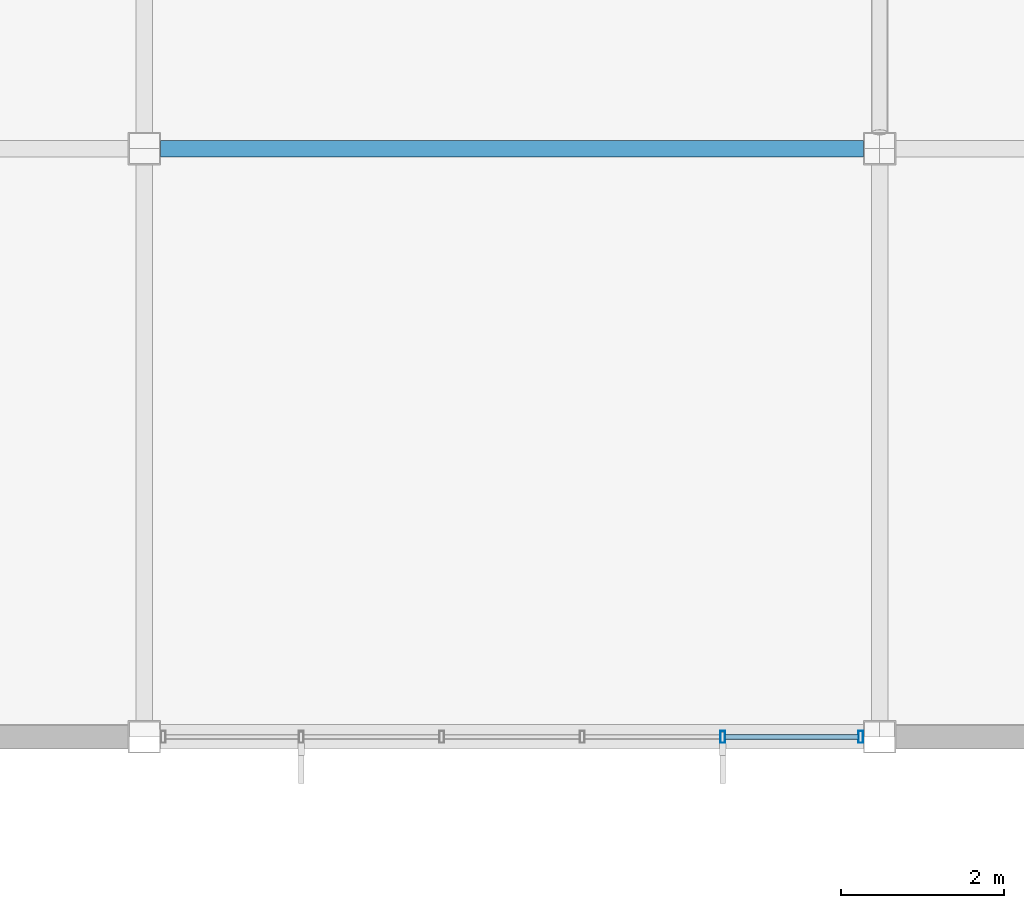
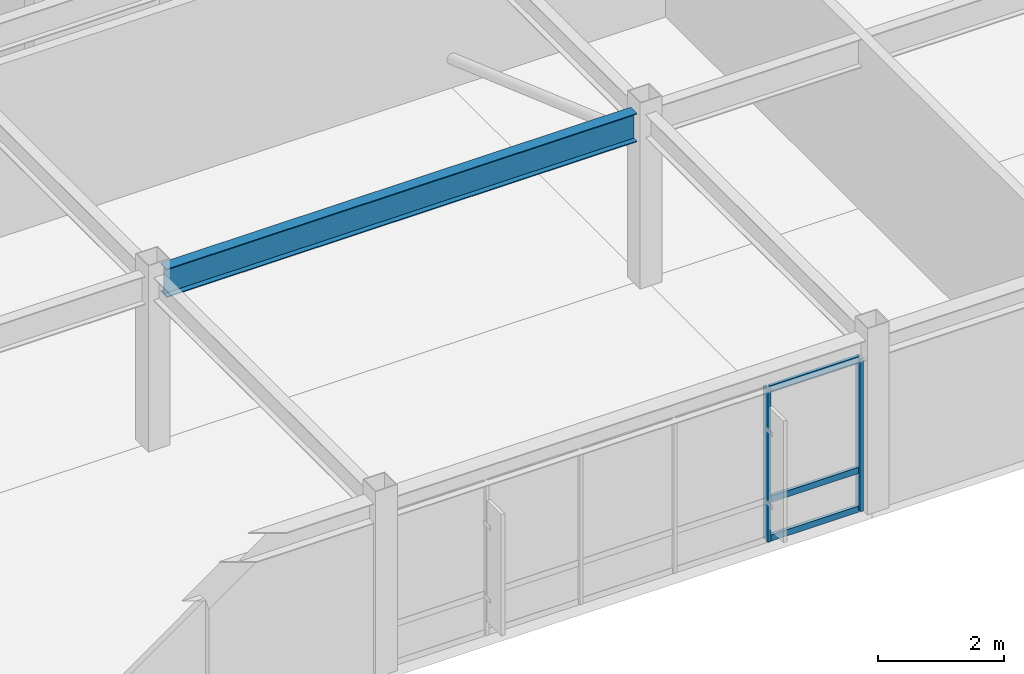
# One storey, part 7 of 34: 5 members, 1 beam, 1 element without a shape of its own.
"""IFC4 building model written with IfcOpenShell, lengths in metres."""

from ifc_helpers import new_model, si_unit, direction, frame, origin, origin_2d, place, context, subcontext, project, spatial, hollow_rectangle, i_section, extrude, material, material_profile, profile_set, type_object, element, aggregate, save


model = new_model("IFC4")

# Units and contexts
model_context = context("Model", 3, precision=1e-05, world=origin(), true_north=direction((0.0, 1.0)))
body_context = subcontext(model_context, "Body", "Model", "MODEL_VIEW")
ifc_project = project(units=[si_unit("LENGTHUNIT", "METRE"), si_unit("AREAUNIT", "SQUARE_METRE"), si_unit("VOLUMEUNIT", "CUBIC_METRE"), si_unit("PLANEANGLEUNIT", "RADIAN"), si_unit("MASSUNIT", "GRAM", prefix="KILO")], contexts=[model_context])

# Site, building, storey
site_placement = place(None, origin())
site = spatial("IfcSite", under=ifc_project, at=site_placement, CompositionType="ELEMENT")
building_placement = place(site_placement, origin())
building = spatial("IfcBuilding", under=site, at=building_placement, Name="Kazanami Central Library", CompositionType="ELEMENT")
storey_placement = place(building_placement, frame((0.0, 0.0, 17.0)))
storey = spatial("IfcBuildingStorey", under=building, at=storey_placement, Name="L05", CompositionType="ELEMENT", Elevation=17.0)

# Beam
ifc_material_1 = material(Name="Steel SN490B (325 MPa)", Category="steel")
ifc_material_profile_1 = material_profile(ifc_material_1, i_section(OverallWidth=0.199951171875, OverallDepth=0.550048828125, WebThickness=0.010009765625, FlangeThickness=0.01611328125, at=origin_2d()), Name="H-550x200x10x16")
ifc_profile_set_1 = profile_set([ifc_material_profile_1], Name="Steel SN490B (325 MPa)")
beam_type = type_object("IfcBeamType", Name="BM-G-X3", PredefinedType="BEAM", material=ifc_profile_set_1)
beam_placement = place(storey_placement, frame((9.197998046875, 72.0, 3.06494140625), z_axis=(1.0, 0.0, 0.0), x_axis=(0.0, 1.0, 0.0)))
element("IfcBeam", 1, at=beam_placement, inside=storey, type_object=beam_type, Name="Girder G-X3 L05 L/2-3", PredefinedType="BEAM", context=body_context, shape_type="SweptSolid", body=[
    extrude(i_section(OverallWidth=0.199951171875, OverallDepth=0.550048828125, WebThickness=0.010009765625, FlangeThickness=0.01611328125, at=origin_2d()), origin(), (0.0, 0.0, 1.0), 8.60400390625),
])

# Curtain wall, members
ifc_material_2 = material(Name="Acid-Etched Low-E Laminated Glass", Category="glass")
curtain_wall_type = type_object("IfcCurtainWallType", Name="CW-8600x2950-M180", PredefinedType="USERDEFINED", material=ifc_material_2)
curtain_wall_placement = place(storey_placement, origin())
curtain_wall = element("IfcCurtainWall", 2, at=curtain_wall_placement, inside=storey, type_object=curtain_wall_type, Name="Unitised Curtain Wall CW-50 L05 S-K-01", ObjectType="UNITISED CURTAIN WALL", PredefinedType="USERDEFINED")
ifc_material_3 = material(Name="Anodised Aluminium A6063-T5", Category="aluminium")
ifc_material_profile_2 = material_profile(ifc_material_3, hollow_rectangle(XDim=0.06005859375, YDim=0.14990234375, WallThickness=0.00390625, at=origin_2d()), Name="ALU-MULL-60x150x4")
ifc_profile_set_2 = profile_set([ifc_material_profile_2], Name="Anodised Aluminium A6063-T5")
member_type_1 = type_object("IfcMemberType", Name="MEM-CW-M3", PredefinedType="MULLION", material=ifc_profile_set_2)
member_1_placement = place(storey_placement, frame((16.080078125, 64.800048828125, 0.0), z_axis=(0.0, 0.0, 1.0), x_axis=(1.0, 0.0, 0.0)))
member_1 = element("IfcMember", 3, at=member_1_placement, type_object=member_type_1, Name="CW-50 mullion 5", PredefinedType="MULLION", context=body_context, shape_type="SweptSolid", body=[
    extrude(hollow_rectangle(XDim=0.06005859375, YDim=0.14990234375, WallThickness=0.00390625, at=origin_2d()), origin(), (0.0, 0.0, 1.0), 2.949951171875),
])
member_2_placement = place(storey_placement, frame((17.77001953125, 64.800048828125, 0.0), z_axis=(0.0, 0.0, 1.0), x_axis=(1.0, 0.0, 0.0)))
member_2 = element("IfcMember", 4, at=member_2_placement, type_object=member_type_1, Name="CW-50 mullion 6", PredefinedType="MULLION", context=body_context, shape_type="SweptSolid", body=[
    extrude(hollow_rectangle(XDim=0.06005859375, YDim=0.14990234375, WallThickness=0.00390625, at=origin_2d()), origin(), (0.0, 0.0, 1.0), 2.949951171875),
])
ifc_material_profile_3 = material_profile(ifc_material_3, hollow_rectangle(XDim=0.06005859375, YDim=0.1201171875, WallThickness=0.00341796875, at=origin_2d()), Name="ALU-TRAN-60x120x3.5")
ifc_profile_set_3 = profile_set([ifc_material_profile_3], Name="Anodised Aluminium A6063-T5")
member_type_2 = type_object("IfcMemberType", Name="MEM-CW-T3", PredefinedType="USERDEFINED", material=ifc_profile_set_3)
member_3_placement = place(storey_placement, frame((16.110107421875, 64.800048828125, 0.030029296875), z_axis=(1.0, 0.0, 0.0), x_axis=(0.0, 1.0, 0.0)))
member_3 = element("IfcMember", 5, at=member_3_placement, type_object=member_type_2, Name="CW-50 transom 5.1", ObjectType="TRANSOM", PredefinedType="USERDEFINED", context=body_context, shape_type="SweptSolid", body=[
    extrude(hollow_rectangle(XDim=0.06005859375, YDim=0.1201171875, WallThickness=0.00341796875, at=origin_2d()), origin(), (0.0, 0.0, 1.0), 1.6298828125),
])
member_4_placement = place(storey_placement, frame((16.110107421875, 64.800048828125, 0.780029296875), z_axis=(1.0, 0.0, 0.0), x_axis=(0.0, 1.0, 0.0)))
member_4 = element("IfcMember", 6, at=member_4_placement, type_object=member_type_2, Name="CW-50 transom 5.2", ObjectType="TRANSOM", PredefinedType="USERDEFINED", context=body_context, shape_type="SweptSolid", body=[
    extrude(hollow_rectangle(XDim=0.06005859375, YDim=0.1201171875, WallThickness=0.00341796875, at=origin_2d()), origin(), (0.0, 0.0, 1.0), 1.6298828125),
])
member_5_placement = place(storey_placement, frame((16.110107421875, 64.800048828125, 2.919921875), z_axis=(1.0, 0.0, 0.0), x_axis=(0.0, 1.0, 0.0)))
member_5 = element("IfcMember", 7, at=member_5_placement, type_object=member_type_2, Name="CW-50 transom 5.3", ObjectType="TRANSOM", PredefinedType="USERDEFINED", context=body_context, shape_type="SweptSolid", body=[
    extrude(hollow_rectangle(XDim=0.06005859375, YDim=0.1201171875, WallThickness=0.00341796875, at=origin_2d()), origin(), (0.0, 0.0, 1.0), 1.6298828125),
])
aggregate(curtain_wall, [member_1, member_2, member_3, member_4, member_5])

save(model, "model.ifc")
